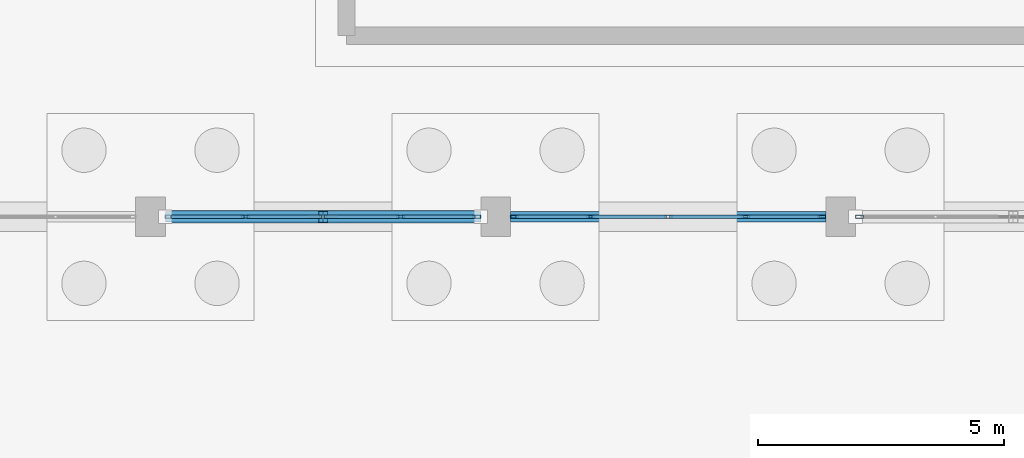
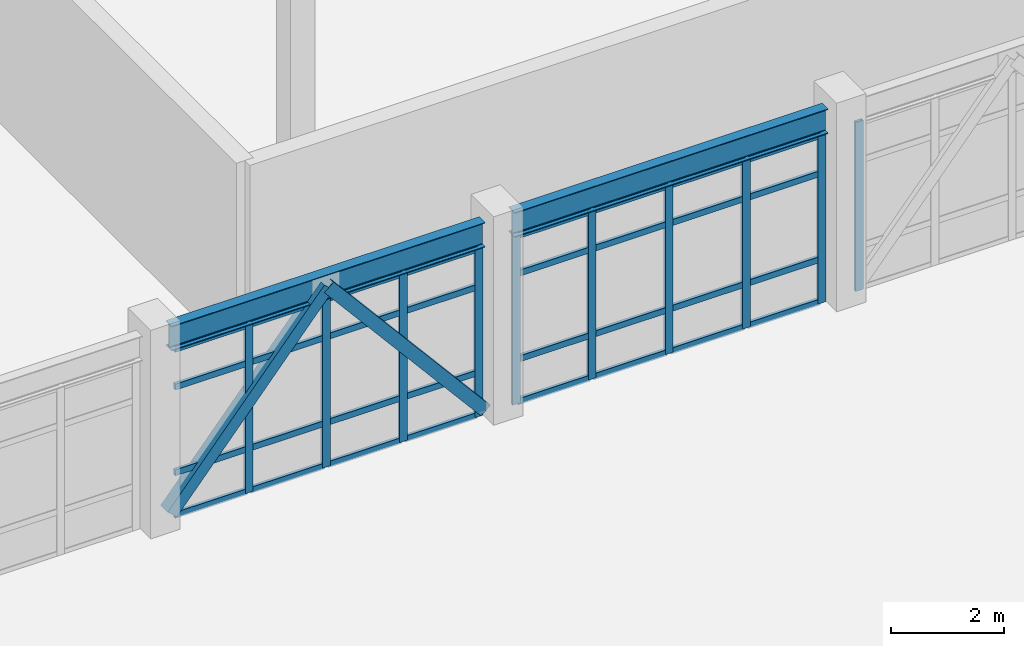
# One storey, part 23 of 154: 44 members, 2 beams, 3 elements without a shape of their own.
"""IFC4 building model written with IfcOpenShell, lengths in metres."""

from ifc_helpers import new_model, si_unit, direction, frame, origin, origin_2d, place, context, subcontext, project, spatial, hollow_rectangle, i_section, extrude, material, material_profile, profile_set, type_object, element, aggregate, save


model = new_model("IFC4")

# Units and contexts
model_context = context("Model", 3, precision=1e-05, world=origin(), true_north=direction((0.0, 1.0)))
body_context = subcontext(model_context, "Body", "Model", "MODEL_VIEW")
ifc_project = project(units=[si_unit("LENGTHUNIT", "METRE"), si_unit("AREAUNIT", "SQUARE_METRE"), si_unit("VOLUMEUNIT", "CUBIC_METRE"), si_unit("PLANEANGLEUNIT", "RADIAN"), si_unit("MASSUNIT", "GRAM", prefix="KILO")], contexts=[model_context])

# Site, building, storey
site_placement = place(None, origin())
site = spatial("IfcSite", under=ifc_project, at=site_placement, CompositionType="ELEMENT")
building_placement = place(site_placement, origin())
building = spatial("IfcBuilding", under=site, at=building_placement, Name="Kestramere Prow Commons", CompositionType="ELEMENT")
storey_placement = place(building_placement, origin())
storey = spatial("IfcBuildingStorey", under=building, at=storey_placement, Name="L00", CompositionType="ELEMENT", Elevation=0.0)

# Beams
ifc_material_1 = material(Name="Steel S355JR", Category="steel")
ifc_material_profile_1 = material_profile(ifc_material_1, i_section(OverallWidth=0.209228515625, OverallDepth=0.533203125, WebThickness=0.010009765625, FlangeThickness=0.015625, FilletRadius=0.0126953125, at=origin_2d()), Name="UB 533x210x92")
ifc_profile_set_1 = profile_set([ifc_material_profile_1], Name="Steel S355JR")
beam_type = type_object("IfcBeamType", Name="BM-HL-GAL UB 533x210x92 (EX)", PredefinedType="BEAM", material=ifc_profile_set_1)
for number, where, z_axis, x_axis, name in (
    (1, (16.5, 43.5, 3.933349609375), (1.0, 0.0, 0.0), (0.0, 1.0, 0.0), "Hall North Perimeter Tie Girder 3"),
    (2, (23.5, 43.5, 3.933349609375), (1.0, 0.0, 0.0), (0.0, 1.0, 0.0), "Hall North Perimeter Tie Girder 4"),
):
    element("IfcBeam", number, at=place(storey_placement, frame(where, z_axis=z_axis, x_axis=x_axis)), inside=storey, type_object=beam_type, Name=name, PredefinedType="BEAM", context=body_context, shape_type="SweptSolid", body=[
        extrude(i_section(OverallWidth=0.209228515625, OverallDepth=0.533203125, WebThickness=0.010009765625, FlangeThickness=0.015625, FilletRadius=0.0126953125, at=origin_2d()), origin(), (0.0, 0.0, 1.0), 6.39990234375),
    ])

# Members
ifc_material_profile_2 = material_profile(ifc_material_1, hollow_rectangle(XDim=0.25, YDim=0.25, WallThickness=0.012451171875, at=origin_2d()), Name="SHS 250x250x12.5")
ifc_profile_set_2 = profile_set([ifc_material_profile_2], Name="Steel S355JR")
member_type_1 = type_object("IfcMemberType", Name="BRHL-01 SHS 250x250x12.5", PredefinedType="BRACE", material=ifc_profile_set_2)
for number, where, z_axis, x_axis, name in (
    (3, (16.5, 43.5, 0.14990234375), (0.645774370013, 0.0, 0.763528298778), (0.0, 1.0, 0.0), "Community Hall Flank Diagonal Brace L00-3L"),
    (4, (22.89990234375, 43.5, 0.14990234375), (-0.645774370013, 0.0, 0.763528298778), (0.0, -1.0, 0.0), "Community Hall Flank Diagonal Brace L00-3R"),
):
    element("IfcMember", number, at=place(storey_placement, frame(where, z_axis=z_axis, x_axis=x_axis)), inside=storey, type_object=member_type_1, Name=name, PredefinedType="BRACE", context=body_context, shape_type="SweptSolid", body=[
        extrude(hollow_rectangle(XDim=0.25, YDim=0.25, WallThickness=0.012451171875, at=origin_2d()), origin(), (0.0, 0.0, 1.0), 4.955322265625),
    ])

# Curtain wall, members
ifc_material_2 = material(Name="Anodised Aluminium and Low-E Glass", Category="aluminium")
curtain_wall_type = type_object("IfcCurtainWallType", Name="CW-11 Glazed Curtain Wall 6300x3650", PredefinedType="USERDEFINED", material=ifc_material_2)
curtain_wall_1_placement = place(storey_placement, origin())
curtain_wall_1 = element("IfcCurtainWall", 5, at=curtain_wall_1_placement, inside=storey, type_object=curtain_wall_type, Name="Hall North Courtyard Curtain Wall L00-3", ObjectType="GLAZED CURTAIN WALL", PredefinedType="USERDEFINED")
ifc_material_3 = material(Name="Anodised Aluminium 6063-T6", Category="aluminium")
ifc_material_profile_3 = material_profile(ifc_material_3, hollow_rectangle(XDim=0.06494140625, YDim=0.159912109375, WallThickness=0.00390625, at=origin_2d()), Name="ALU-MUL 65x160")
ifc_profile_set_3 = profile_set([ifc_material_profile_3], Name="Anodised Aluminium 6063-T6")
member_type_2 = type_object("IfcMemberType", Name="CW-MUL-65x160", PredefinedType="MULLION", material=ifc_profile_set_3)
member_1_placement = place(storey_placement, frame((18.125, 43.5, 0.0), z_axis=(0.0, 0.0, 1.0), x_axis=(0.0, 1.0, 0.0)))
member_1 = element("IfcMember", 6, at=member_1_placement, type_object=member_type_2, Name="CW-11 mullion 2", PredefinedType="MULLION", context=body_context, shape_type="SweptSolid", body=[
    extrude(hollow_rectangle(XDim=0.06494140625, YDim=0.159912109375, WallThickness=0.00390625, at=origin_2d()), origin(), (0.0, 0.0, 1.0), 3.64990234375),
])
member_2_placement = place(storey_placement, frame((19.699951171875, 43.5, 0.0), z_axis=(0.0, 0.0, 1.0), x_axis=(0.0, 1.0, 0.0)))
member_2 = element("IfcMember", 7, at=member_2_placement, type_object=member_type_2, Name="CW-11 mullion 3", PredefinedType="MULLION", context=body_context, shape_type="SweptSolid", body=[
    extrude(hollow_rectangle(XDim=0.06494140625, YDim=0.159912109375, WallThickness=0.00390625, at=origin_2d()), origin(), (0.0, 0.0, 1.0), 3.64990234375),
])
member_3_placement = place(storey_placement, frame((21.27490234375, 43.5, 0.0), z_axis=(0.0, 0.0, 1.0), x_axis=(0.0, 1.0, 0.0)))
member_3 = element("IfcMember", 8, at=member_3_placement, type_object=member_type_2, Name="CW-11 mullion 4", PredefinedType="MULLION", context=body_context, shape_type="SweptSolid", body=[
    extrude(hollow_rectangle(XDim=0.06494140625, YDim=0.159912109375, WallThickness=0.00390625, at=origin_2d()), origin(), (0.0, 0.0, 1.0), 3.64990234375),
])
member_4_placement = place(storey_placement, frame((22.8173828125, 43.5, 0.0), z_axis=(0.0, 0.0, 1.0), x_axis=(0.0, 1.0, 0.0)))
member_4 = element("IfcMember", 9, at=member_4_placement, type_object=member_type_2, Name="CW-11 mullion 5", PredefinedType="MULLION", context=body_context, shape_type="SweptSolid", body=[
    extrude(hollow_rectangle(XDim=0.06494140625, YDim=0.159912109375, WallThickness=0.00390625, at=origin_2d()), origin(), (0.0, 0.0, 1.0), 3.64990234375),
])

curtain_wall_2_placement = place(storey_placement, origin())
curtain_wall_2 = element("IfcCurtainWall", 10, at=curtain_wall_2_placement, inside=storey, type_object=curtain_wall_type, Name="Hall North Courtyard Curtain Wall L00-4", ObjectType="GLAZED CURTAIN WALL", PredefinedType="USERDEFINED")
member_5_placement = place(storey_placement, frame((23.58251953125, 43.5, 0.0), z_axis=(0.0, 0.0, 1.0), x_axis=(0.0, 1.0, 0.0)))
member_5 = element("IfcMember", 11, at=member_5_placement, type_object=member_type_2, Name="CW-11 mullion 1", PredefinedType="MULLION", context=body_context, shape_type="SweptSolid", body=[
    extrude(hollow_rectangle(XDim=0.06494140625, YDim=0.159912109375, WallThickness=0.00390625, at=origin_2d()), origin(), (0.0, 0.0, 1.0), 3.64990234375),
])
member_6_placement = place(storey_placement, frame((25.125, 43.5, 0.0), z_axis=(0.0, 0.0, 1.0), x_axis=(0.0, 1.0, 0.0)))
member_6 = element("IfcMember", 12, at=member_6_placement, type_object=member_type_2, Name="CW-11 mullion 2", PredefinedType="MULLION", context=body_context, shape_type="SweptSolid", body=[
    extrude(hollow_rectangle(XDim=0.06494140625, YDim=0.159912109375, WallThickness=0.00390625, at=origin_2d()), origin(), (0.0, 0.0, 1.0), 3.64990234375),
])
member_7_placement = place(storey_placement, frame((26.699951171875, 43.5, 0.0), z_axis=(0.0, 0.0, 1.0), x_axis=(0.0, 1.0, 0.0)))
member_7 = element("IfcMember", 13, at=member_7_placement, type_object=member_type_2, Name="CW-11 mullion 3", PredefinedType="MULLION", context=body_context, shape_type="SweptSolid", body=[
    extrude(hollow_rectangle(XDim=0.06494140625, YDim=0.159912109375, WallThickness=0.00390625, at=origin_2d()), origin(), (0.0, 0.0, 1.0), 3.64990234375),
])
member_8_placement = place(storey_placement, frame((28.27490234375, 43.5, 0.0), z_axis=(0.0, 0.0, 1.0), x_axis=(0.0, 1.0, 0.0)))
member_8 = element("IfcMember", 14, at=member_8_placement, type_object=member_type_2, Name="CW-11 mullion 4", PredefinedType="MULLION", context=body_context, shape_type="SweptSolid", body=[
    extrude(hollow_rectangle(XDim=0.06494140625, YDim=0.159912109375, WallThickness=0.00390625, at=origin_2d()), origin(), (0.0, 0.0, 1.0), 3.64990234375),
])
member_9_placement = place(storey_placement, frame((29.8173828125, 43.5, 0.0), z_axis=(0.0, 0.0, 1.0), x_axis=(0.0, 1.0, 0.0)))
member_9 = element("IfcMember", 15, at=member_9_placement, type_object=member_type_2, Name="CW-11 mullion 5", PredefinedType="MULLION", context=body_context, shape_type="SweptSolid", body=[
    extrude(hollow_rectangle(XDim=0.06494140625, YDim=0.159912109375, WallThickness=0.00390625, at=origin_2d()), origin(), (0.0, 0.0, 1.0), 3.64990234375),
])

# Curtain wall, member
curtain_wall_3_placement = place(storey_placement, origin())
curtain_wall_3 = element("IfcCurtainWall", 16, at=curtain_wall_3_placement, inside=storey, type_object=curtain_wall_type, Name="Hall North Courtyard Curtain Wall L00-5", ObjectType="GLAZED CURTAIN WALL", PredefinedType="USERDEFINED")
member_10_placement = place(storey_placement, frame((30.58251953125, 43.5, 0.0), z_axis=(0.0, 0.0, 1.0), x_axis=(0.0, 1.0, 0.0)))
member_10 = element("IfcMember", 17, at=member_10_placement, type_object=member_type_2, Name="CW-11 mullion 1", PredefinedType="MULLION", context=body_context, shape_type="SweptSolid", body=[
    extrude(hollow_rectangle(XDim=0.06494140625, YDim=0.159912109375, WallThickness=0.00390625, at=origin_2d()), origin(), (0.0, 0.0, 1.0), 3.64990234375),
])
aggregate(curtain_wall_3, [member_10])

# Member
ifc_material_profile_4 = material_profile(ifc_material_3, hollow_rectangle(XDim=0.06494140625, YDim=0.1298828125, WallThickness=0.00390625, at=origin_2d()), Name="ALU-TRN 65x130")
ifc_profile_set_4 = profile_set([ifc_material_profile_4], Name="Anodised Aluminium 6063-T6")
member_type_3 = type_object("IfcMemberType", Name="CW-TRN-65x130", PredefinedType="USERDEFINED", material=ifc_profile_set_4)
member_11_placement = place(storey_placement, frame((16.614990234375, 43.5, 0.032470703125), z_axis=(1.0, 0.0, 0.0), x_axis=(0.0, 1.0, 0.0)))
member_11 = element("IfcMember", 18, at=member_11_placement, type_object=member_type_3, Name="CW-11 transom 1.1", ObjectType="TRANSOM", PredefinedType="USERDEFINED", context=body_context, shape_type="SweptSolid", body=[
    extrude(hollow_rectangle(XDim=0.06494140625, YDim=0.1298828125, WallThickness=0.00390625, at=origin_2d()), origin(), (0.0, 0.0, 1.0), 1.4775390625),
])

member_12_placement = place(storey_placement, frame((16.614990234375, 43.5, 0.949951171875), z_axis=(1.0, 0.0, 0.0), x_axis=(0.0, 1.0, 0.0)))
member_12 = element("IfcMember", 19, at=member_12_placement, type_object=member_type_3, Name="CW-11 transom 1.2", ObjectType="TRANSOM", PredefinedType="USERDEFINED", context=body_context, shape_type="SweptSolid", body=[
    extrude(hollow_rectangle(XDim=0.06494140625, YDim=0.1298828125, WallThickness=0.00390625, at=origin_2d()), origin(), (0.0, 0.0, 1.0), 1.4775390625),
])

member_13_placement = place(storey_placement, frame((16.614990234375, 43.5, 2.800048828125), z_axis=(1.0, 0.0, 0.0), x_axis=(0.0, 1.0, 0.0)))
member_13 = element("IfcMember", 20, at=member_13_placement, type_object=member_type_3, Name="CW-11 transom 1.3", ObjectType="TRANSOM", PredefinedType="USERDEFINED", context=body_context, shape_type="SweptSolid", body=[
    extrude(hollow_rectangle(XDim=0.06494140625, YDim=0.1298828125, WallThickness=0.00390625, at=origin_2d()), origin(), (0.0, 0.0, 1.0), 1.4775390625),
])

member_14_placement = place(storey_placement, frame((16.614990234375, 43.5, 3.617431640625), z_axis=(1.0, 0.0, 0.0), x_axis=(0.0, 1.0, 0.0)))
member_14 = element("IfcMember", 21, at=member_14_placement, type_object=member_type_3, Name="CW-11 transom 1.4", ObjectType="TRANSOM", PredefinedType="USERDEFINED", context=body_context, shape_type="SweptSolid", body=[
    extrude(hollow_rectangle(XDim=0.06494140625, YDim=0.1298828125, WallThickness=0.00390625, at=origin_2d()), origin(), (0.0, 0.0, 1.0), 1.4775390625),
])

member_15_placement = place(storey_placement, frame((18.157470703125, 43.5, 0.032470703125), z_axis=(1.0, 0.0, 0.0), x_axis=(0.0, 1.0, 0.0)))
member_15 = element("IfcMember", 22, at=member_15_placement, type_object=member_type_3, Name="CW-11 transom 2.1", ObjectType="TRANSOM", PredefinedType="USERDEFINED", context=body_context, shape_type="SweptSolid", body=[
    extrude(hollow_rectangle(XDim=0.06494140625, YDim=0.1298828125, WallThickness=0.00390625, at=origin_2d()), origin(), (0.0, 0.0, 1.0), 1.510009765625),
])

member_16_placement = place(storey_placement, frame((18.157470703125, 43.5, 0.949951171875), z_axis=(1.0, 0.0, 0.0), x_axis=(0.0, 1.0, 0.0)))
member_16 = element("IfcMember", 23, at=member_16_placement, type_object=member_type_3, Name="CW-11 transom 2.2", ObjectType="TRANSOM", PredefinedType="USERDEFINED", context=body_context, shape_type="SweptSolid", body=[
    extrude(hollow_rectangle(XDim=0.06494140625, YDim=0.1298828125, WallThickness=0.00390625, at=origin_2d()), origin(), (0.0, 0.0, 1.0), 1.510009765625),
])

member_17_placement = place(storey_placement, frame((18.157470703125, 43.5, 2.800048828125), z_axis=(1.0, 0.0, 0.0), x_axis=(0.0, 1.0, 0.0)))
member_17 = element("IfcMember", 24, at=member_17_placement, type_object=member_type_3, Name="CW-11 transom 2.3", ObjectType="TRANSOM", PredefinedType="USERDEFINED", context=body_context, shape_type="SweptSolid", body=[
    extrude(hollow_rectangle(XDim=0.06494140625, YDim=0.1298828125, WallThickness=0.00390625, at=origin_2d()), origin(), (0.0, 0.0, 1.0), 1.510009765625),
])

member_18_placement = place(storey_placement, frame((18.157470703125, 43.5, 3.617431640625), z_axis=(1.0, 0.0, 0.0), x_axis=(0.0, 1.0, 0.0)))
member_18 = element("IfcMember", 25, at=member_18_placement, type_object=member_type_3, Name="CW-11 transom 2.4", ObjectType="TRANSOM", PredefinedType="USERDEFINED", context=body_context, shape_type="SweptSolid", body=[
    extrude(hollow_rectangle(XDim=0.06494140625, YDim=0.1298828125, WallThickness=0.00390625, at=origin_2d()), origin(), (0.0, 0.0, 1.0), 1.510009765625),
])

member_19_placement = place(storey_placement, frame((19.732421875, 43.5, 0.032470703125), z_axis=(1.0, 0.0, 0.0), x_axis=(0.0, 1.0, 0.0)))
member_19 = element("IfcMember", 26, at=member_19_placement, type_object=member_type_3, Name="CW-11 transom 3.1", ObjectType="TRANSOM", PredefinedType="USERDEFINED", context=body_context, shape_type="SweptSolid", body=[
    extrude(hollow_rectangle(XDim=0.06494140625, YDim=0.1298828125, WallThickness=0.00390625, at=origin_2d()), origin(), (0.0, 0.0, 1.0), 1.510009765625),
])

member_20_placement = place(storey_placement, frame((19.732421875, 43.5, 0.949951171875), z_axis=(1.0, 0.0, 0.0), x_axis=(0.0, 1.0, 0.0)))
member_20 = element("IfcMember", 27, at=member_20_placement, type_object=member_type_3, Name="CW-11 transom 3.2", ObjectType="TRANSOM", PredefinedType="USERDEFINED", context=body_context, shape_type="SweptSolid", body=[
    extrude(hollow_rectangle(XDim=0.06494140625, YDim=0.1298828125, WallThickness=0.00390625, at=origin_2d()), origin(), (0.0, 0.0, 1.0), 1.510009765625),
])

member_21_placement = place(storey_placement, frame((19.732421875, 43.5, 2.800048828125), z_axis=(1.0, 0.0, 0.0), x_axis=(0.0, 1.0, 0.0)))
member_21 = element("IfcMember", 28, at=member_21_placement, type_object=member_type_3, Name="CW-11 transom 3.3", ObjectType="TRANSOM", PredefinedType="USERDEFINED", context=body_context, shape_type="SweptSolid", body=[
    extrude(hollow_rectangle(XDim=0.06494140625, YDim=0.1298828125, WallThickness=0.00390625, at=origin_2d()), origin(), (0.0, 0.0, 1.0), 1.510009765625),
])

member_22_placement = place(storey_placement, frame((19.732421875, 43.5, 3.617431640625), z_axis=(1.0, 0.0, 0.0), x_axis=(0.0, 1.0, 0.0)))
member_22 = element("IfcMember", 29, at=member_22_placement, type_object=member_type_3, Name="CW-11 transom 3.4", ObjectType="TRANSOM", PredefinedType="USERDEFINED", context=body_context, shape_type="SweptSolid", body=[
    extrude(hollow_rectangle(XDim=0.06494140625, YDim=0.1298828125, WallThickness=0.00390625, at=origin_2d()), origin(), (0.0, 0.0, 1.0), 1.510009765625),
])

member_23_placement = place(storey_placement, frame((21.3076171875, 43.5, 0.032470703125), z_axis=(1.0, 0.0, 0.0), x_axis=(0.0, 1.0, 0.0)))
member_23 = element("IfcMember", 30, at=member_23_placement, type_object=member_type_3, Name="CW-11 transom 4.1", ObjectType="TRANSOM", PredefinedType="USERDEFINED", context=body_context, shape_type="SweptSolid", body=[
    extrude(hollow_rectangle(XDim=0.06494140625, YDim=0.1298828125, WallThickness=0.00390625, at=origin_2d()), origin(), (0.0, 0.0, 1.0), 1.477294921875),
])

member_24_placement = place(storey_placement, frame((21.3076171875, 43.5, 0.949951171875), z_axis=(1.0, 0.0, 0.0), x_axis=(0.0, 1.0, 0.0)))
member_24 = element("IfcMember", 31, at=member_24_placement, type_object=member_type_3, Name="CW-11 transom 4.2", ObjectType="TRANSOM", PredefinedType="USERDEFINED", context=body_context, shape_type="SweptSolid", body=[
    extrude(hollow_rectangle(XDim=0.06494140625, YDim=0.1298828125, WallThickness=0.00390625, at=origin_2d()), origin(), (0.0, 0.0, 1.0), 1.477294921875),
])

member_25_placement = place(storey_placement, frame((21.3076171875, 43.5, 2.800048828125), z_axis=(1.0, 0.0, 0.0), x_axis=(0.0, 1.0, 0.0)))
member_25 = element("IfcMember", 32, at=member_25_placement, type_object=member_type_3, Name="CW-11 transom 4.3", ObjectType="TRANSOM", PredefinedType="USERDEFINED", context=body_context, shape_type="SweptSolid", body=[
    extrude(hollow_rectangle(XDim=0.06494140625, YDim=0.1298828125, WallThickness=0.00390625, at=origin_2d()), origin(), (0.0, 0.0, 1.0), 1.477294921875),
])

member_26_placement = place(storey_placement, frame((21.3076171875, 43.5, 3.617431640625), z_axis=(1.0, 0.0, 0.0), x_axis=(0.0, 1.0, 0.0)))
member_26 = element("IfcMember", 33, at=member_26_placement, type_object=member_type_3, Name="CW-11 transom 4.4", ObjectType="TRANSOM", PredefinedType="USERDEFINED", context=body_context, shape_type="SweptSolid", body=[
    extrude(hollow_rectangle(XDim=0.06494140625, YDim=0.1298828125, WallThickness=0.00390625, at=origin_2d()), origin(), (0.0, 0.0, 1.0), 1.477294921875),
])

aggregate(curtain_wall_1, [member_1, member_2, member_3, member_4, member_11, member_12, member_13, member_14, member_15, member_16, member_17, member_18, member_19, member_20, member_21, member_22, member_23, member_24, member_25, member_26])

member_27_placement = place(storey_placement, frame((23.614990234375, 43.5, 0.032470703125), z_axis=(1.0, 0.0, 0.0), x_axis=(0.0, 1.0, 0.0)))
member_27 = element("IfcMember", 34, at=member_27_placement, type_object=member_type_3, Name="CW-11 transom 1.1", ObjectType="TRANSOM", PredefinedType="USERDEFINED", context=body_context, shape_type="SweptSolid", body=[
    extrude(hollow_rectangle(XDim=0.06494140625, YDim=0.1298828125, WallThickness=0.00390625, at=origin_2d()), origin(), (0.0, 0.0, 1.0), 1.4775390625),
])

member_28_placement = place(storey_placement, frame((23.614990234375, 43.5, 0.949951171875), z_axis=(1.0, 0.0, 0.0), x_axis=(0.0, 1.0, 0.0)))
member_28 = element("IfcMember", 35, at=member_28_placement, type_object=member_type_3, Name="CW-11 transom 1.2", ObjectType="TRANSOM", PredefinedType="USERDEFINED", context=body_context, shape_type="SweptSolid", body=[
    extrude(hollow_rectangle(XDim=0.06494140625, YDim=0.1298828125, WallThickness=0.00390625, at=origin_2d()), origin(), (0.0, 0.0, 1.0), 1.4775390625),
])

member_29_placement = place(storey_placement, frame((23.614990234375, 43.5, 2.800048828125), z_axis=(1.0, 0.0, 0.0), x_axis=(0.0, 1.0, 0.0)))
member_29 = element("IfcMember", 36, at=member_29_placement, type_object=member_type_3, Name="CW-11 transom 1.3", ObjectType="TRANSOM", PredefinedType="USERDEFINED", context=body_context, shape_type="SweptSolid", body=[
    extrude(hollow_rectangle(XDim=0.06494140625, YDim=0.1298828125, WallThickness=0.00390625, at=origin_2d()), origin(), (0.0, 0.0, 1.0), 1.4775390625),
])

member_30_placement = place(storey_placement, frame((23.614990234375, 43.5, 3.617431640625), z_axis=(1.0, 0.0, 0.0), x_axis=(0.0, 1.0, 0.0)))
member_30 = element("IfcMember", 37, at=member_30_placement, type_object=member_type_3, Name="CW-11 transom 1.4", ObjectType="TRANSOM", PredefinedType="USERDEFINED", context=body_context, shape_type="SweptSolid", body=[
    extrude(hollow_rectangle(XDim=0.06494140625, YDim=0.1298828125, WallThickness=0.00390625, at=origin_2d()), origin(), (0.0, 0.0, 1.0), 1.4775390625),
])

member_31_placement = place(storey_placement, frame((25.157470703125, 43.5, 0.032470703125), z_axis=(1.0, 0.0, 0.0), x_axis=(0.0, 1.0, 0.0)))
member_31 = element("IfcMember", 38, at=member_31_placement, type_object=member_type_3, Name="CW-11 transom 2.1", ObjectType="TRANSOM", PredefinedType="USERDEFINED", context=body_context, shape_type="SweptSolid", body=[
    extrude(hollow_rectangle(XDim=0.06494140625, YDim=0.1298828125, WallThickness=0.00390625, at=origin_2d()), origin(), (0.0, 0.0, 1.0), 1.510009765625),
])

member_32_placement = place(storey_placement, frame((25.157470703125, 43.5, 0.949951171875), z_axis=(1.0, 0.0, 0.0), x_axis=(0.0, 1.0, 0.0)))
member_32 = element("IfcMember", 39, at=member_32_placement, type_object=member_type_3, Name="CW-11 transom 2.2", ObjectType="TRANSOM", PredefinedType="USERDEFINED", context=body_context, shape_type="SweptSolid", body=[
    extrude(hollow_rectangle(XDim=0.06494140625, YDim=0.1298828125, WallThickness=0.00390625, at=origin_2d()), origin(), (0.0, 0.0, 1.0), 1.510009765625),
])

member_33_placement = place(storey_placement, frame((25.157470703125, 43.5, 2.800048828125), z_axis=(1.0, 0.0, 0.0), x_axis=(0.0, 1.0, 0.0)))
member_33 = element("IfcMember", 40, at=member_33_placement, type_object=member_type_3, Name="CW-11 transom 2.3", ObjectType="TRANSOM", PredefinedType="USERDEFINED", context=body_context, shape_type="SweptSolid", body=[
    extrude(hollow_rectangle(XDim=0.06494140625, YDim=0.1298828125, WallThickness=0.00390625, at=origin_2d()), origin(), (0.0, 0.0, 1.0), 1.510009765625),
])

member_34_placement = place(storey_placement, frame((25.157470703125, 43.5, 3.617431640625), z_axis=(1.0, 0.0, 0.0), x_axis=(0.0, 1.0, 0.0)))
member_34 = element("IfcMember", 41, at=member_34_placement, type_object=member_type_3, Name="CW-11 transom 2.4", ObjectType="TRANSOM", PredefinedType="USERDEFINED", context=body_context, shape_type="SweptSolid", body=[
    extrude(hollow_rectangle(XDim=0.06494140625, YDim=0.1298828125, WallThickness=0.00390625, at=origin_2d()), origin(), (0.0, 0.0, 1.0), 1.510009765625),
])

member_35_placement = place(storey_placement, frame((26.732421875, 43.5, 0.032470703125), z_axis=(1.0, 0.0, 0.0), x_axis=(0.0, 1.0, 0.0)))
member_35 = element("IfcMember", 42, at=member_35_placement, type_object=member_type_3, Name="CW-11 transom 3.1", ObjectType="TRANSOM", PredefinedType="USERDEFINED", context=body_context, shape_type="SweptSolid", body=[
    extrude(hollow_rectangle(XDim=0.06494140625, YDim=0.1298828125, WallThickness=0.00390625, at=origin_2d()), origin(), (0.0, 0.0, 1.0), 1.510009765625),
])

member_36_placement = place(storey_placement, frame((26.732421875, 43.5, 0.949951171875), z_axis=(1.0, 0.0, 0.0), x_axis=(0.0, 1.0, 0.0)))
member_36 = element("IfcMember", 43, at=member_36_placement, type_object=member_type_3, Name="CW-11 transom 3.2", ObjectType="TRANSOM", PredefinedType="USERDEFINED", context=body_context, shape_type="SweptSolid", body=[
    extrude(hollow_rectangle(XDim=0.06494140625, YDim=0.1298828125, WallThickness=0.00390625, at=origin_2d()), origin(), (0.0, 0.0, 1.0), 1.510009765625),
])

member_37_placement = place(storey_placement, frame((26.732421875, 43.5, 2.800048828125), z_axis=(1.0, 0.0, 0.0), x_axis=(0.0, 1.0, 0.0)))
member_37 = element("IfcMember", 44, at=member_37_placement, type_object=member_type_3, Name="CW-11 transom 3.3", ObjectType="TRANSOM", PredefinedType="USERDEFINED", context=body_context, shape_type="SweptSolid", body=[
    extrude(hollow_rectangle(XDim=0.06494140625, YDim=0.1298828125, WallThickness=0.00390625, at=origin_2d()), origin(), (0.0, 0.0, 1.0), 1.510009765625),
])

member_38_placement = place(storey_placement, frame((26.732421875, 43.5, 3.617431640625), z_axis=(1.0, 0.0, 0.0), x_axis=(0.0, 1.0, 0.0)))
member_38 = element("IfcMember", 45, at=member_38_placement, type_object=member_type_3, Name="CW-11 transom 3.4", ObjectType="TRANSOM", PredefinedType="USERDEFINED", context=body_context, shape_type="SweptSolid", body=[
    extrude(hollow_rectangle(XDim=0.06494140625, YDim=0.1298828125, WallThickness=0.00390625, at=origin_2d()), origin(), (0.0, 0.0, 1.0), 1.510009765625),
])

member_39_placement = place(storey_placement, frame((28.3076171875, 43.5, 0.032470703125), z_axis=(1.0, 0.0, 0.0), x_axis=(0.0, 1.0, 0.0)))
member_39 = element("IfcMember", 46, at=member_39_placement, type_object=member_type_3, Name="CW-11 transom 4.1", ObjectType="TRANSOM", PredefinedType="USERDEFINED", context=body_context, shape_type="SweptSolid", body=[
    extrude(hollow_rectangle(XDim=0.06494140625, YDim=0.1298828125, WallThickness=0.00390625, at=origin_2d()), origin(), (0.0, 0.0, 1.0), 1.477294921875),
])

member_40_placement = place(storey_placement, frame((28.3076171875, 43.5, 0.949951171875), z_axis=(1.0, 0.0, 0.0), x_axis=(0.0, 1.0, 0.0)))
member_40 = element("IfcMember", 47, at=member_40_placement, type_object=member_type_3, Name="CW-11 transom 4.2", ObjectType="TRANSOM", PredefinedType="USERDEFINED", context=body_context, shape_type="SweptSolid", body=[
    extrude(hollow_rectangle(XDim=0.06494140625, YDim=0.1298828125, WallThickness=0.00390625, at=origin_2d()), origin(), (0.0, 0.0, 1.0), 1.477294921875),
])

member_41_placement = place(storey_placement, frame((28.3076171875, 43.5, 2.800048828125), z_axis=(1.0, 0.0, 0.0), x_axis=(0.0, 1.0, 0.0)))
member_41 = element("IfcMember", 48, at=member_41_placement, type_object=member_type_3, Name="CW-11 transom 4.3", ObjectType="TRANSOM", PredefinedType="USERDEFINED", context=body_context, shape_type="SweptSolid", body=[
    extrude(hollow_rectangle(XDim=0.06494140625, YDim=0.1298828125, WallThickness=0.00390625, at=origin_2d()), origin(), (0.0, 0.0, 1.0), 1.477294921875),
])

member_42_placement = place(storey_placement, frame((28.3076171875, 43.5, 3.617431640625), z_axis=(1.0, 0.0, 0.0), x_axis=(0.0, 1.0, 0.0)))
member_42 = element("IfcMember", 49, at=member_42_placement, type_object=member_type_3, Name="CW-11 transom 4.4", ObjectType="TRANSOM", PredefinedType="USERDEFINED", context=body_context, shape_type="SweptSolid", body=[
    extrude(hollow_rectangle(XDim=0.06494140625, YDim=0.1298828125, WallThickness=0.00390625, at=origin_2d()), origin(), (0.0, 0.0, 1.0), 1.477294921875),
])

aggregate(curtain_wall_2, [member_5, member_6, member_7, member_8, member_9, member_27, member_28, member_29, member_30, member_31, member_32, member_33, member_34, member_35, member_36, member_37, member_38, member_39, member_40, member_41, member_42])

save(model, "model.ifc")
